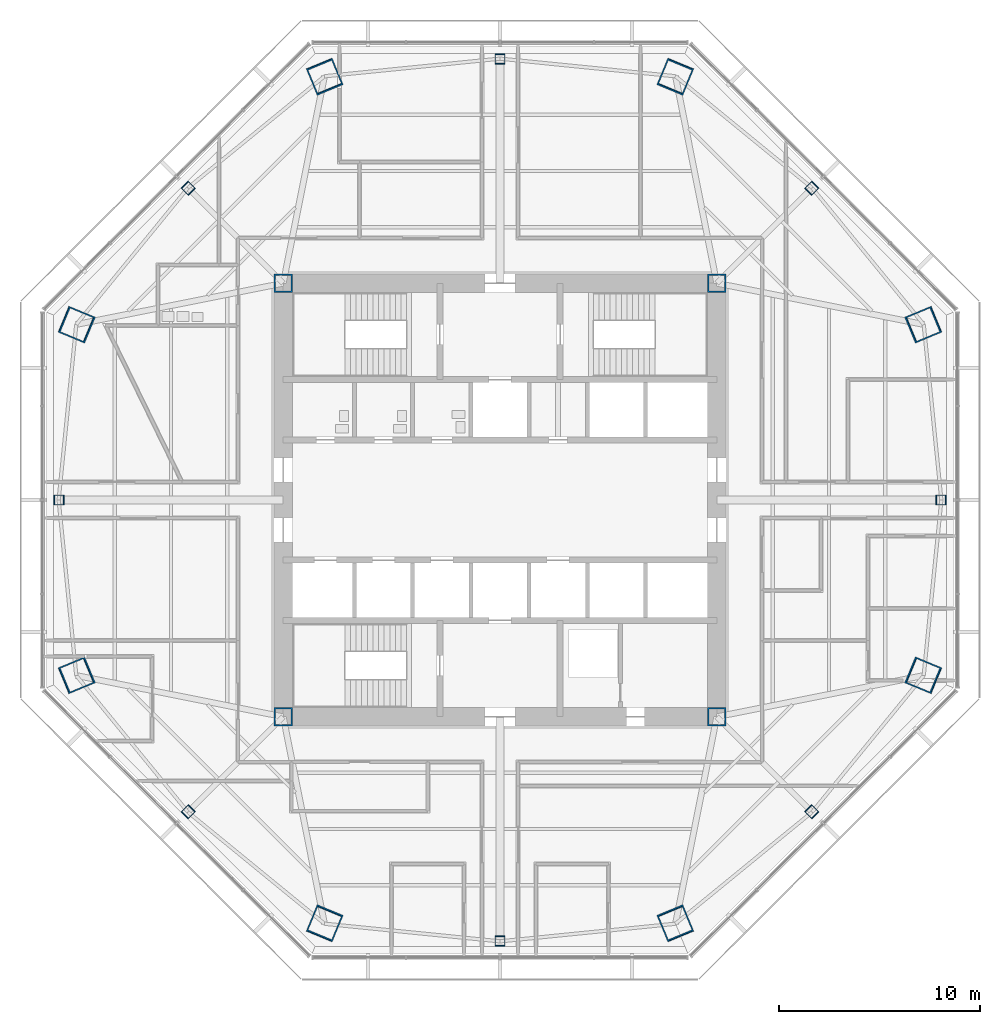
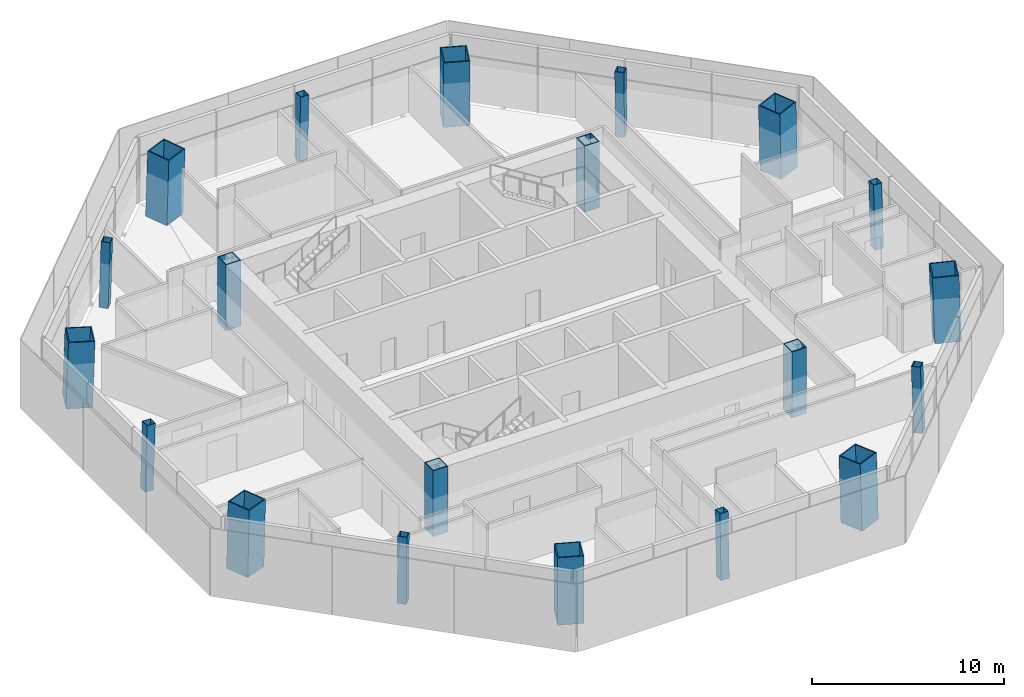
# One storey, part 1 of 15: 20 columns.
"""IFC4 building model written with IfcOpenShell, lengths in metres."""

from ifc_helpers import new_model, si_unit, direction, frame, origin, origin_2d, place, context, subcontext, project, spatial, hollow_rectangle, extrude, material, material_profile, profile_set, type_object, element, save


model = new_model("IFC4")

# Units and contexts
model_context = context("Model", 3, precision=1e-05, world=origin(), true_north=direction((0.0, 1.0)))
body_context = subcontext(model_context, "Body", "Model", "MODEL_VIEW")
ifc_project = project(units=[si_unit("LENGTHUNIT", "METRE"), si_unit("AREAUNIT", "SQUARE_METRE"), si_unit("VOLUMEUNIT", "CUBIC_METRE"), si_unit("PLANEANGLEUNIT", "RADIAN"), si_unit("MASSUNIT", "GRAM", prefix="KILO")], contexts=[model_context])

# Site, building, storey
site_placement = place(None, origin())
site = spatial("IfcSite", under=ifc_project, at=site_placement, CompositionType="ELEMENT")
building_placement = place(site_placement, origin())
building = spatial("IfcBuilding", under=site, at=building_placement, Name="Mashrafa Tower", CompositionType="ELEMENT")
storey_placement = place(building_placement, frame((0.0, 0.0, 184.800048828125)))
storey = spatial("IfcBuildingStorey", under=building, at=storey_placement, Name="L42", CompositionType="ELEMENT", Elevation=184.800048828125)

# Columns
ifc_material_1 = material(Name="Steel ASTM A572 Gr 50", Category="steel")
ifc_material_profile_1 = material_profile(ifc_material_1, hollow_rectangle(XDim=0.89990234375, YDim=0.89990234375, WallThickness=0.06005859375, at=origin_2d()), Name="BOX900X900X60")
ifc_profile_set_1 = profile_set([ifc_material_profile_1], Name="Steel ASTM A572 Gr 50")
column_type_1 = type_object("IfcColumnType", Name="Core corner column BOX900X900X60", PredefinedType="COLUMN", material=ifc_profile_set_1)
for number, where, z_axis, x_axis, name in (
    (1, (10.800048828125, 10.800048828125, 0.0), (0.0, 0.0, 1.0), (1.0, 0.0, 0.0), "Core corner column CC-NE L42"),
    (2, (-10.800048828125, 10.800048828125, 0.0), (0.0, 0.0, 1.0), (1.0, 0.0, 0.0), "Core corner column CC-NW L42"),
    (3, (-10.800048828125, -10.800048828125, 0.0), (0.0, 0.0, 1.0), (1.0, 0.0, 0.0), "Core corner column CC-SW L42"),
    (4, (10.800048828125, -10.800048828125, 0.0), (0.0, 0.0, 1.0), (1.0, 0.0, 0.0), "Core corner column CC-SE L42"),
):
    element("IfcColumn", number, at=place(storey_placement, frame(where, z_axis=z_axis, x_axis=x_axis)), inside=storey, type_object=column_type_1, Name=name, PredefinedType="COLUMN", context=body_context, shape_type="SweptSolid", body=[
        extrude(hollow_rectangle(XDim=0.89990234375, YDim=0.89990234375, WallThickness=0.06005859375, at=origin_2d()), origin(), (0.0, 0.0, 1.0), 4.199951171875),
    ])
ifc_material_2 = material(Name="Steel ASTM A572 Gr 50", Category="steel")
ifc_material_profile_2 = material_profile(ifc_material_2, hollow_rectangle(XDim=1.39990234375, YDim=1.39990234375, WallThickness=0.06494140625, at=origin_2d()), Name="BOX1400X1400X65")
ifc_profile_set_2 = profile_set([ifc_material_profile_2], Name="Steel ASTM A572 Gr 50")
column_type_2 = type_object("IfcColumnType", Name="Mega column CFST BOX1400X1400X65", PredefinedType="COLUMN", material=ifc_profile_set_2)
for number, where, z_axis, x_axis, name in (
    (5, (21.10888671875, 8.74365234375, 0.0), (-0.028295730207, -0.011736627314, 0.99953069149), (0.383133442967, -0.923693003589, 0.0), "Mega column MC1 L42"),
    (6, (8.74365234375, 21.10888671875, 0.0), (-0.011736627314, -0.028295730207, 0.99953069149), (0.923693003589, -0.383133442967, 0.0), "Mega column MC2 L42"),
    (7, (-8.74365234375, 21.10888671875, 0.0), (0.011736627314, -0.028295730207, 0.99953069149), (0.923693003589, 0.383133442967, 0.0), "Mega column MC3 L42"),
    (8, (-21.10888671875, 8.74365234375, 0.0), (0.028295730207, -0.011736627314, 0.99953069149), (0.383133442967, 0.923693003589, 0.0), "Mega column MC4 L42"),
    (9, (-21.10888671875, -8.74365234375, 0.0), (0.028295730207, 0.011736627314, 0.99953069149), (-0.383133442967, 0.923693003589, 0.0), "Mega column MC5 L42"),
    (10, (-8.74365234375, -21.10888671875, 0.0), (0.011736627314, 0.028295730207, 0.99953069149), (-0.923693003589, 0.383133442967, 0.0), "Mega column MC6 L42"),
    (11, (8.74365234375, -21.10888671875, 0.0), (-0.011736627314, 0.028295730207, 0.99953069149), (-0.923693003589, -0.383133442967, 0.0), "Mega column MC7 L42"),
    (12, (21.10888671875, -8.74365234375, 0.0), (-0.028295730207, 0.011736627314, 0.99953069149), (-0.383133442967, -0.923693003589, 0.0), "Mega column MC8 L42"),
):
    element("IfcColumn", number, at=place(storey_placement, frame(where, z_axis=z_axis, x_axis=x_axis)), inside=storey, type_object=column_type_2, Name=name, PredefinedType="COLUMN", context=body_context, shape_type="SweptSolid", body=[
        extrude(hollow_rectangle(XDim=1.39990234375, YDim=1.39990234375, WallThickness=0.06494140625, at=origin_2d()), origin(), (0.0, 0.0, 1.0), 4.201904296875),
    ])
ifc_material_3 = material(Name="Steel ASTM A572 Gr 50", Category="steel")
ifc_material_profile_3 = material_profile(ifc_material_3, hollow_rectangle(XDim=0.5, YDim=0.5, WallThickness=0.02490234375, at=origin_2d()), Name="BOX500X500X25")
ifc_profile_set_3 = profile_set([ifc_material_profile_3], Name="Steel ASTM A572 Gr 50")
column_type_3 = type_object("IfcColumnType", Name="Secondary column BOX500X500X25", PredefinedType="COLUMN", material=ifc_profile_set_3)
for number, where, z_axis, x_axis, name in (
    (13, (21.987060546875, 0.0, 0.0), (-0.028297679255, 0.0, 0.99959954049), (0.0, -1.0, 0.0), "Secondary column SC1 L42"),
    (14, (15.547119140625, 15.547119140625, 0.0), (-0.019988521213, -0.019988521213, 0.999600379171), (0.707106781187, -0.707106781187, 0.0), "Secondary column SC2 L42"),
    (15, (0.0, 21.987060546875, 0.0), (0.0, -0.028297679255, 0.99959954049), (1.0, 0.0, 0.0), "Secondary column SC3 L42"),
    (16, (-15.547119140625, 15.547119140625, 0.0), (0.019988521213, -0.019988521213, 0.999600379171), (0.707106781187, 0.707106781187, 0.0), "Secondary column SC4 L42"),
    (17, (-21.987060546875, 0.0, 0.0), (0.028297679255, 0.0, 0.99959954049), (0.0, 1.0, 0.0), "Secondary column SC5 L42"),
    (18, (-15.547119140625, -15.547119140625, 0.0), (0.019988521213, 0.019988521213, 0.999600379171), (-0.707106781187, 0.707106781187, 0.0), "Secondary column SC6 L42"),
    (19, (0.0, -21.987060546875, 0.0), (0.0, 0.028297679255, 0.99959954049), (-1.0, 0.0, 0.0), "Secondary column SC7 L42"),
    (20, (15.547119140625, -15.547119140625, 0.0), (-0.019988521213, 0.019988521213, 0.999600379171), (-0.707106781187, -0.707106781187, 0.0), "Secondary column SC8 L42"),
):
    element("IfcColumn", number, at=place(storey_placement, frame(where, z_axis=z_axis, x_axis=x_axis)), inside=storey, type_object=column_type_3, Name=name, PredefinedType="COLUMN", context=body_context, shape_type="SweptSolid", body=[
        extrude(hollow_rectangle(XDim=0.5, YDim=0.5, WallThickness=0.02490234375, at=origin_2d()), origin(), (0.0, 0.0, 1.0), 4.20166015625),
    ])

save(model, "model.ifc")
